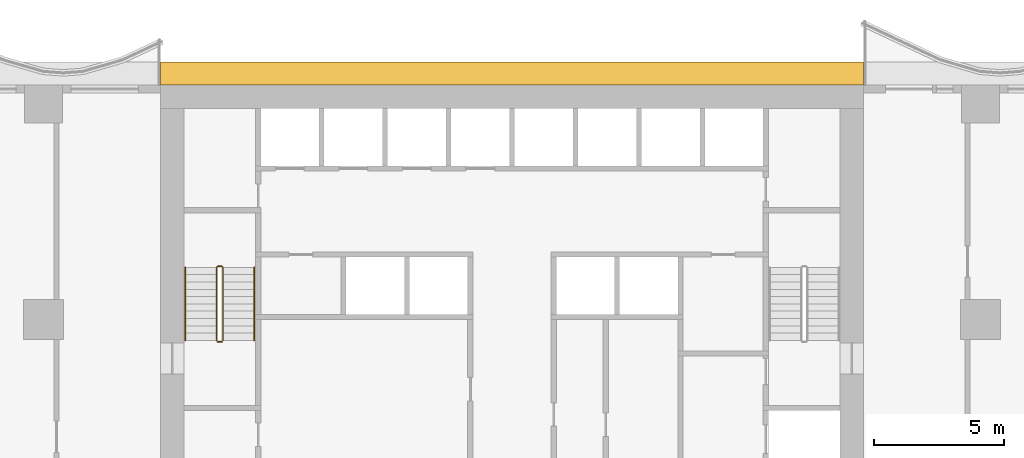
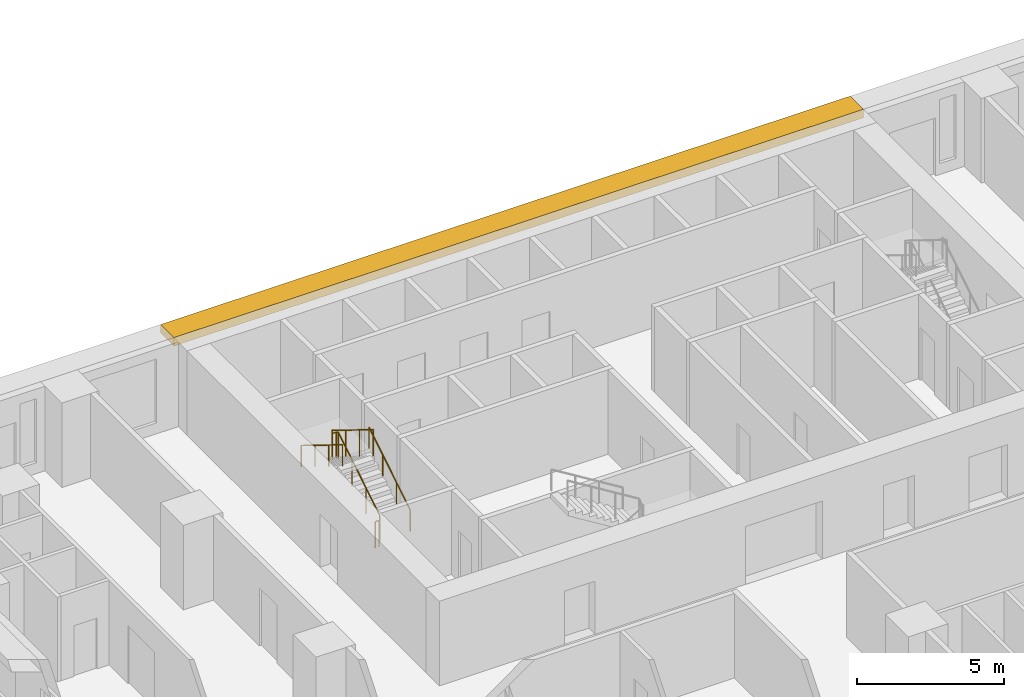
# One storey, part 12 of 14: 4 railings, 1 shading device.
"""IFC4 building model written with IfcOpenShell, lengths in metres."""

from ifc_helpers import new_model, si_unit, direction, frame, origin, origin_2d, place, context, subcontext, project, spatial, polyline, circle, outline, extrude, material, layer, layer_set, type_object, element, save


model = new_model("IFC4")

# Units and contexts
model_context = context("Model", 3, precision=1e-05, world=origin(), true_north=direction((0.0, 1.0)))
body_context = subcontext(model_context, "Body", "Model", "MODEL_VIEW")
ifc_project = project(units=[si_unit("LENGTHUNIT", "METRE"), si_unit("AREAUNIT", "SQUARE_METRE"), si_unit("VOLUMEUNIT", "CUBIC_METRE"), si_unit("PLANEANGLEUNIT", "RADIAN"), si_unit("MASSUNIT", "GRAM", prefix="KILO")], contexts=[model_context])

# Site, building, storey
site_placement = place(None, origin())
site = spatial("IfcSite", under=ifc_project, at=site_placement, CompositionType="ELEMENT")
building_placement = place(site_placement, origin())
building = spatial("IfcBuilding", under=site, at=building_placement, Name="Orbiselva Terraces", CompositionType="ELEMENT")
storey_placement = place(building_placement, frame((0.0, 0.0, 30.2)))
storey = spatial("IfcBuildingStorey", under=building, at=storey_placement, Name="L07", CompositionType="ELEMENT", Elevation=30.2)

# Railings
ifc_material_1 = material(Name="Stainless steel", Category="steel")
railing_type_1 = type_object("IfcRailingType", Name="CORE-GUARD-1100", PredefinedType="GUARDRAIL", material=ifc_material_1)
railing_1_placement = place(storey_placement, frame((-11.1, 12.7, 0.172727)))
element("IfcRailing", 1, at=railing_1_placement, inside=storey, type_object=railing_type_1, Name="L07 S1 stair guard 1", PredefinedType="GUARDRAIL", context=body_context, shape_type="SweptSolid", body=[
    extrude(circle(Radius=0.024, at=origin_2d()), frame((0.0, 0.0, 1.081), z_axis=(0.0, 0.851088519012, 0.52502222125), x_axis=(-1.0, 0.0, 0.0)), (0.0, 0.0, 1.0), 3.289905),
    extrude(circle(Radius=0.024, at=origin_2d()), frame((0.0, 2.8, 2.808273), z_axis=(-0.707106781187, 0.707106781187, 0.0), x_axis=(-0.707106781187, -0.707106781187, 0.0)), (0.0, 0.0, 1.0), 0.070711),
    extrude(circle(Radius=0.024, at=origin_2d()), frame((-0.05, 2.85, 2.808273), z_axis=(-1.0, 0.0, 0.0), x_axis=(0.0, -1.0, 0.0)), (0.0, 0.0, 1.0), 0.15),
    extrude(circle(Radius=0.024, at=origin_2d()), frame((-0.2, 2.85, 2.808273), z_axis=(-0.267894925557, -0.267894925557, 0.925453736133), x_axis=(0.707106781187, -0.707106781187, 0.0)), (0.0, 0.0, 1.0), 0.18664),
    extrude(circle(Radius=0.024, at=origin_2d()), frame((-0.25, 2.8, 2.981), z_axis=(0.0, -0.851088519012, 0.52502222125), x_axis=(1.0, 0.0, 0.0)), (0.0, 0.0, 1.0), 3.289905),
    extrude(circle(Radius=0.021, at=origin_2d()), origin(), (0.0, 0.0, 1.0), 1.057),
    extrude(circle(Radius=0.021, at=origin_2d()), frame((0.0, 0.933333, 0.575758)), (0.0, 0.0, 1.0), 1.057),
    extrude(circle(Radius=0.021, at=origin_2d()), frame((0.0, 1.866667, 1.151515)), (0.0, 0.0, 1.0), 1.057),
    extrude(circle(Radius=0.021, at=origin_2d()), frame((0.0, 2.8, 1.727273)), (0.0, 0.0, 1.0), 1.057),
    extrude(circle(Radius=0.021, at=origin_2d()), frame((-0.05, 2.85, 1.727273)), (0.0, 0.0, 1.0), 1.057),
    extrude(circle(Radius=0.021, at=origin_2d()), frame((-0.2, 2.85, 1.727273)), (0.0, 0.0, 1.0), 1.057),
    extrude(circle(Radius=0.021, at=origin_2d()), frame((-0.25, 2.8, 1.9)), (0.0, 0.0, 1.0), 1.057),
    extrude(circle(Radius=0.021, at=origin_2d()), frame((-0.25, 1.866667, 2.475758)), (0.0, 0.0, 1.0), 1.057),
    extrude(circle(Radius=0.021, at=origin_2d()), frame((-0.25, 0.933333, 3.051515)), (0.0, 0.0, 1.0), 1.057),
    extrude(circle(Radius=0.021, at=origin_2d()), frame((-0.25, 0.0, 3.627273)), (0.0, 0.0, 1.0), 1.057),
])
railing_2_placement = place(storey_placement, frame((-11.15, 12.65, 0.0)))
element("IfcRailing", 2, at=railing_2_placement, inside=storey, type_object=railing_type_1, Name="L07 S1 stair guard 2", PredefinedType="GUARDRAIL", context=body_context, shape_type="SweptSolid", body=[
    extrude(circle(Radius=0.024, at=origin_2d()), frame((0.0, 0.0, 1.081), z_axis=(-1.0, 0.0, 0.0), x_axis=(0.0, -1.0, 0.0)), (0.0, 0.0, 1.0), 0.15),
    extrude(circle(Radius=0.021, at=origin_2d()), origin(), (0.0, 0.0, 1.0), 1.057),
    extrude(circle(Radius=0.021, at=origin_2d()), frame((-0.15, 0.0, 0.0)), (0.0, 0.0, 1.0), 1.057),
])
railing_type_2 = type_object("IfcRailingType", Name="CORE-HANDRAIL-900", PredefinedType="HANDRAIL", material=ifc_material_1)
railing_3_placement = place(storey_placement, frame((-9.9, 12.7, 0.172727)))
element("IfcRailing", 3, at=railing_3_placement, inside=storey, type_object=railing_type_2, Name="L07 S1 stair handrail 1", PredefinedType="HANDRAIL", context=body_context, shape_type="SweptSolid", body=[
    extrude(circle(Radius=0.024, at=origin_2d()), frame((0.0, 0.0, 0.876), z_axis=(0.0, 0.851088519012, 0.52502222125), x_axis=(-1.0, 0.0, 0.0)), (0.0, 0.0, 1.0), 3.289905),
    extrude(circle(Radius=0.021, at=origin_2d()), origin(), (0.0, 0.0, 1.0), 0.852),
    extrude(circle(Radius=0.021, at=origin_2d()), frame((0.0, 0.933333, 0.575758)), (0.0, 0.0, 1.0), 0.852),
    extrude(circle(Radius=0.021, at=origin_2d()), frame((0.0, 1.866667, 1.151515)), (0.0, 0.0, 1.0), 0.852),
    extrude(circle(Radius=0.021, at=origin_2d()), frame((0.0, 2.8, 1.727273)), (0.0, 0.0, 1.0), 0.852),
])
railing_4_placement = place(storey_placement, frame((-12.55, 15.5, 2.072727)))
element("IfcRailing", 4, at=railing_4_placement, inside=storey, type_object=railing_type_2, Name="L07 S1 stair handrail 2", PredefinedType="HANDRAIL", context=body_context, shape_type="SweptSolid", body=[
    extrude(circle(Radius=0.024, at=origin_2d()), frame((0.0, 0.0, 0.876), z_axis=(0.0, -0.851088519012, 0.52502222125), x_axis=(1.0, 0.0, 0.0)), (0.0, 0.0, 1.0), 3.289905),
    extrude(circle(Radius=0.021, at=origin_2d()), origin(), (0.0, 0.0, 1.0), 0.852),
    extrude(circle(Radius=0.021, at=origin_2d()), frame((0.0, -0.933333, 0.575758)), (0.0, 0.0, 1.0), 0.852),
    extrude(circle(Radius=0.021, at=origin_2d()), frame((0.0, -1.866667, 1.151515)), (0.0, 0.0, 1.0), 0.852),
    extrude(circle(Radius=0.021, at=origin_2d()), frame((0.0, -2.8, 1.727273)), (0.0, 0.0, 1.0), 0.852),
])

# Shading device
ifc_material_2 = material(Name="Terracotta baguette sunshade", Category="masonry")
ifc_layer = layer(ifc_material_2, 0.35)
ifc_layer_set = layer_set([ifc_layer], Name="Terracotta baguette sunshade")
shading_device_type = type_object("IfcShadingDeviceType", Name="ENV-SUNSHADE-900x350", PredefinedType="USERDEFINED", material=ifc_layer_set)
shading_device_placement = place(storey_placement, frame((0.0, 0.0, 3.15)))
element("IfcShadingDevice", 5, at=shading_device_placement, inside=storey, type_object=shading_device_type, Name="Sunshade band L07 CORE NORTH", ObjectType="SUNSHADE", PredefinedType="USERDEFINED", context=body_context, shape_type="SweptSolid", body=[
    extrude(outline(polyline([(13.5, 23.4), (-13.5, 23.4), (-13.5, 22.5), (13.5, 22.5), (13.5, 23.4)])), origin(), (0.0, 0.0, 1.0), 0.35),
])

save(model, "model.ifc")
